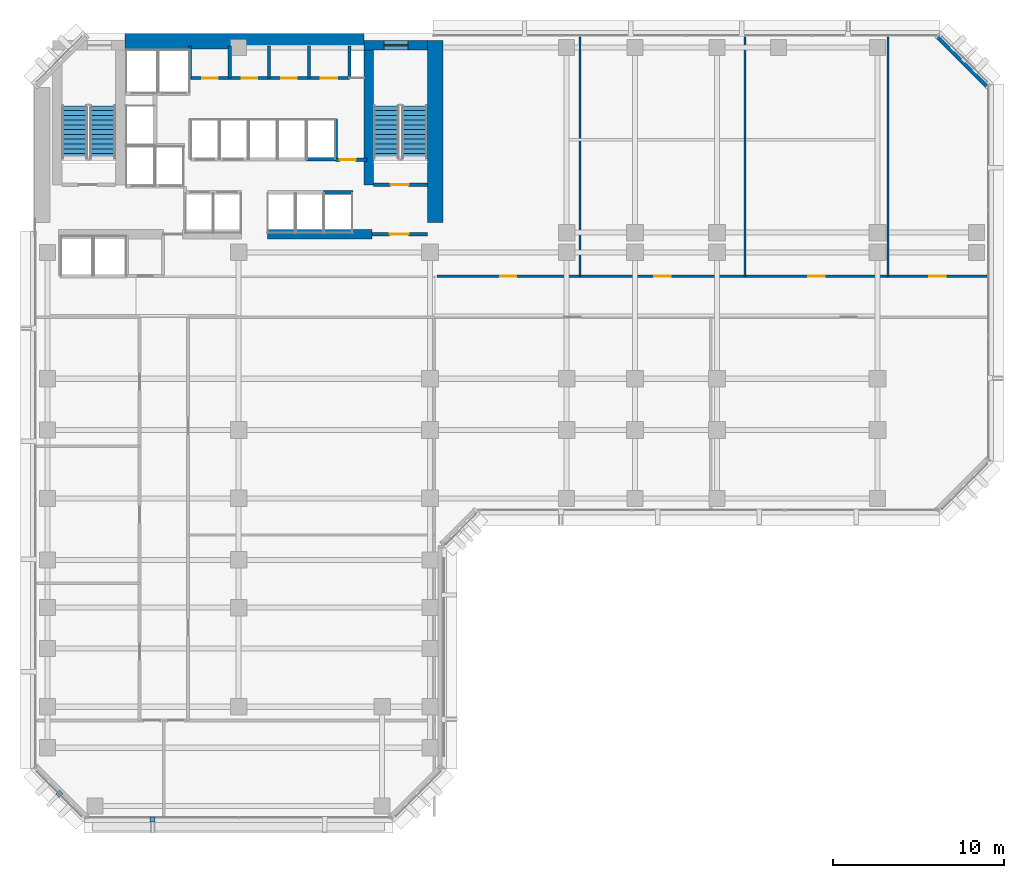
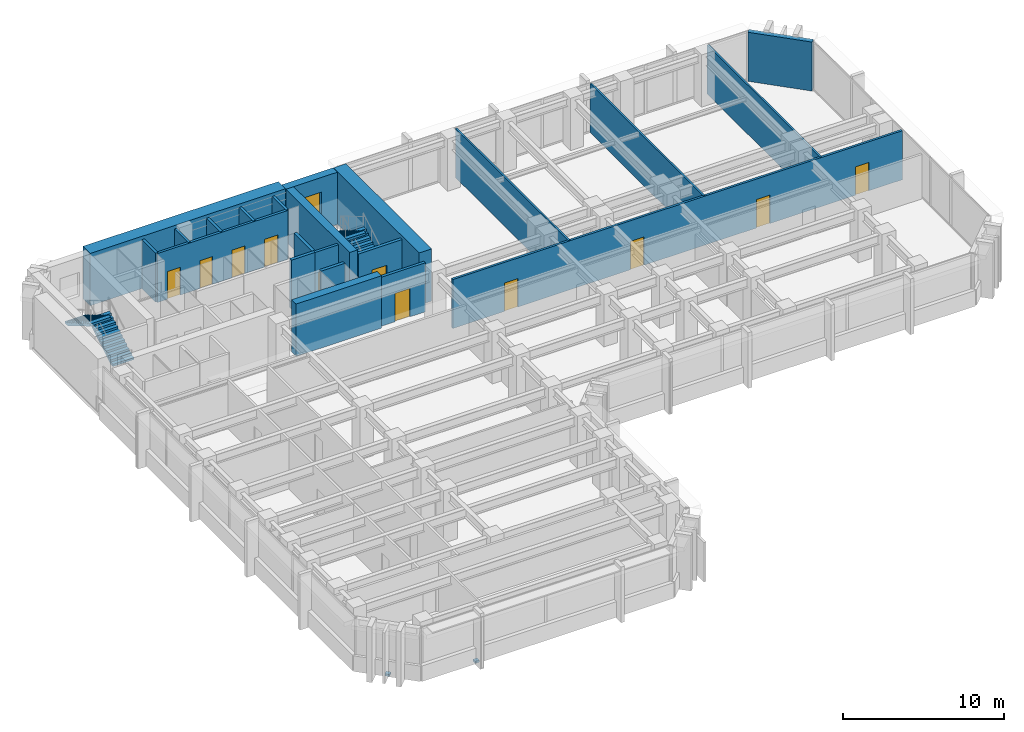
# One storey, part 8 of 14: 22 walls, 11 doors, 4 stair flights, 2 discrete accessories, 1 window, 12 openings, 2 elements without a shape of their own.
"""IFC4 building model written with IfcOpenShell, lengths in metres."""

import ifcopenshell
import ifcopenshell.guid

model = None  # the IFC model being written
_history = None  # IfcOwnerHistory: only IFC2X3 demands one
_inside = {}  # id of a spatial element -> (the spatial element, [elements in it])
_under = {}  # id of a project, library or spatial element -> (it, [spatial elements below it])
_declared = {}  # id of a project -> (the project, [libraries it declares])
_typed = {}  # id of a type object -> (the type object, [elements of that type])
_made_of = {}  # id of a material, layer set ... -> (it, [elements and type objects made of it])


def new_model(schema):
    """Start an empty IFC model of exactly this schema.

    Asked for "IFC4X3", IfcOpenShell would pick the latest addendum, in which some entities
    have other attributes; the version numbers below select the first issue.
    IFC2X3 requires an IfcOwnerHistory on every rooted entity: one is made here for all.
    """
    global model, _history
    if schema == "IFC4X3":
        model = ifcopenshell.file(schema_version=(4, 3, 0, 0))
    else:
        model = ifcopenshell.file(schema=schema)
    _inside.clear()
    _under.clear()
    _declared.clear()
    _typed.clear()
    _made_of.clear()
    _history = None
    if model.schema == "IFC2X3":
        org = make("IfcOrganization", Name="unknown")
        user = make(
            "IfcPersonAndOrganization",
            ThePerson=make("IfcPerson", FamilyName="unknown"),
            TheOrganization=org,
        )
        app = make(
            "IfcApplication",
            ApplicationDeveloper=org,
            Version="unknown",
            ApplicationFullName="unknown",
            ApplicationIdentifier="unknown",
        )
        _history = make(
            "IfcOwnerHistory",
            OwningUser=user,
            OwningApplication=app,
            ChangeAction="ADDED",
            CreationDate=0,
        )
    return model


def make(cls, **values):
    """One entity of the class cls with the attributes given. An attribute that is None is left unset."""
    return model.create_entity(
        cls, **{name: value for name, value in values.items() if value is not None}
    )


def rooted(cls, **values):
    """An entity with a GlobalId (a new one), such as an element, a storey or a relation."""
    return make(cls, GlobalId=ifcopenshell.guid.new(), OwnerHistory=_history, **values)


def si_unit(unit_type, name, prefix=None):
    """IfcSIUnit, for example si_unit("LENGTHUNIT", "METRE", prefix="MILLI")."""
    return make("IfcSIUnit", UnitType=unit_type, Prefix=prefix, Name=name)


def assignment(units):
    """IfcUnitAssignment: the units of a project."""
    return None if units is None else make("IfcUnitAssignment", Units=units)


def point(xyz):
    """IfcCartesianPoint."""
    return None if xyz is None else make("IfcCartesianPoint", Coordinates=xyz)


def direction(xyz):
    """IfcDirection."""
    return None if xyz is None else make("IfcDirection", DirectionRatios=xyz)


def frame(location, z_axis=None, x_axis=None):
    """IfcAxis2Placement3D, a coordinate frame: its origin and axes. An axis left out is left unset."""
    return make(
        "IfcAxis2Placement3D",
        Location=point(location),
        Axis=direction(z_axis),
        RefDirection=direction(x_axis),
    )


def frame_2d(location, x_axis=None):
    """IfcAxis2Placement2D, a coordinate frame in the plane: its origin and x axis."""
    return make(
        "IfcAxis2Placement2D", Location=point(location), RefDirection=direction(x_axis)
    )


def origin():
    """The frame at (0, 0, 0) with its axes left unset."""
    return frame((0.0, 0.0, 0.0))


def origin_2d():
    """The frame at (0, 0) in the plane with its x axis left unset."""
    return frame_2d((0.0, 0.0))


def place(relative_to, where):
    """IfcLocalPlacement: puts the frame where relative to a parent placement (None: the world)."""
    return make(
        "IfcLocalPlacement", PlacementRelTo=relative_to, RelativePlacement=where
    )


def context(
    kind, dimensions, precision=None, world=None, true_north=None, identifier=None
):
    """IfcGeometricRepresentationContext, for example the 3D "Model" context."""
    return make(
        "IfcGeometricRepresentationContext",
        ContextIdentifier=identifier,
        ContextType=kind,
        CoordinateSpaceDimension=dimensions,
        Precision=precision,
        WorldCoordinateSystem=world,
        TrueNorth=true_north,
    )


def subcontext(parent, identifier, kind, view, scale=None):
    """IfcGeometricRepresentationSubContext, for example "Body" below "Model"."""
    return make(
        "IfcGeometricRepresentationSubContext",
        ContextIdentifier=identifier,
        ContextType=kind,
        ParentContext=parent,
        TargetScale=scale,
        TargetView=view,
    )


def project(units=None, contexts=None):
    """IfcProject with its units and contexts."""
    return rooted(
        "IfcProject",
        Name="project",
        RepresentationContexts=contexts,
        UnitsInContext=assignment(units),
    )


def spatial(cls, under=None, at=None, **own):
    """A site, building, storey or space (cls), placed at a placement, below another one or the project."""
    s = rooted(cls, ObjectPlacement=at, **own)
    if under is not None:
        _under.setdefault(under.id(), (under, []))[1].append(s)
    return s


def polyline(points):
    """IfcPolyline through the points."""
    return make("IfcPolyline", Points=[point(p) for p in points])


def profile(cls, at=None, kind="AREA", **sizes):
    """A parametric profile (cls). Its sizes go by their IFC names, for example OverallWidth=200.0."""
    return make(cls, ProfileType=kind, Position=at, **sizes)


def rectangle(**sizes):
    """IfcRectangleProfileDef."""
    return profile("IfcRectangleProfileDef", **sizes)


def outline(outer, holes=None, kind="AREA"):
    """IfcArbitraryClosedProfileDef: a profile drawn as a closed curve; with holes, ...WithVoids."""
    if holes is None:
        return make("IfcArbitraryClosedProfileDef", ProfileType=kind, OuterCurve=outer)
    return make(
        "IfcArbitraryProfileDefWithVoids",
        ProfileType=kind,
        OuterCurve=outer,
        InnerCurves=holes,
    )


def extrude(swept, where, along, depth):
    """IfcExtrudedAreaSolid: the profile swept, set in the frame where, extruded along a direction by depth."""
    return make(
        "IfcExtrudedAreaSolid",
        SweptArea=swept,
        Position=where,
        ExtrudedDirection=direction(along),
        Depth=depth,
    )


def shape(context_of_items, identifier, shape_type, items):
    """IfcShapeRepresentation: the items that make up one representation, for example the "Body"."""
    return make(
        "IfcShapeRepresentation",
        ContextOfItems=context_of_items,
        RepresentationIdentifier=identifier,
        RepresentationType=shape_type,
        Items=items,
    )


def material(Name=None, Category=None):
    """IfcMaterial."""
    return make("IfcMaterial", Name=Name, Category=Category)


def layer(
    of_material, thickness, ventilated=None, Name=None, Category=None, Priority=None
):
    """IfcMaterialLayer: one layer of a wall or slab, of a material (None: an air gap)."""
    return make(
        "IfcMaterialLayer",
        Material=of_material,
        LayerThickness=thickness,
        IsVentilated=ventilated,
        Name=Name,
        Category=Category,
        Priority=Priority,
    )


def layer_set(layers, Name=None):
    """IfcMaterialLayerSet."""
    return make("IfcMaterialLayerSet", MaterialLayers=layers, LayerSetName=Name)


def made_of(thing, what):
    """Note that an element or type object is made of a material, layer set ...; save() writes the relation."""
    if what is not None:
        _made_of.setdefault(what.id(), (what, []))[1].append(thing)
    return thing


def type_object(cls, material=None, **own):
    """A type object (cls), such as IfcWallType, which elements share."""
    return made_of(rooted(cls, **own), material)


def element(
    cls,
    number,
    at=None,
    inside=None,
    cuts=None,
    type_object=None,
    material=None,
    context=None,
    identifier="Body",
    shape_type=None,
    held_by="IfcProductDefinitionShape",
    body=None,
    shapes=None,
    **own,
):
    """One element of the class cls, such as IfcWall. Its Tag is "e" and its number.

    at: its placement. inside: the storey or other place that contains it. cuts: it is an
    opening in that element (IfcRelVoidsElement). A single representation is given by context,
    identifier, shape_type and body (its items); several are given by shapes. held_by: the class
    of the entity that holds the representations. save() writes the other relations.
    """
    e = rooted(cls, Tag="e%d" % number, ObjectPlacement=at, **own)
    if body is not None:
        shapes = [shape(context, identifier, shape_type, body)]
    if shapes is not None:
        e.Representation = make(held_by, Representations=shapes)
    if inside is not None:
        _inside.setdefault(inside.id(), (inside, []))[1].append(e)
    if cuts is not None:
        rooted(
            "IfcRelVoidsElement", RelatingBuildingElement=cuts, RelatedOpeningElement=e
        )
    if type_object is not None:
        _typed.setdefault(type_object.id(), (type_object, []))[1].append(e)
    return made_of(e, material)


def fill(opening, filler):
    """IfcRelFillsElement: the door or window that sits in an opening."""
    return rooted(
        "IfcRelFillsElement",
        RelatingOpeningElement=opening,
        RelatedBuildingElement=filler,
    )


def aggregate(whole, parts):
    """IfcRelAggregates: a whole, such as a stair, and the parts it consists of."""
    return rooted("IfcRelAggregates", RelatingObject=whole, RelatedObjects=parts)


def save(model, path):
    """Write the relations noted so far, then the file.

    IfcRelAggregates (storeys below a building ...), IfcRelContainedInSpatialStructure (elements
    in a storey), IfcRelDefinesByType, IfcRelAssociatesMaterial and IfcRelDeclares: one each for
    every whole, place, type object, material and project.
    """
    for whole, parts in _under.values():
        aggregate(whole, parts)
    for where, things in _inside.values():
        rooted(
            "IfcRelContainedInSpatialStructure",
            RelatedElements=things,
            RelatingStructure=where,
        )
    for kind, things in _typed.values():
        rooted("IfcRelDefinesByType", RelatedObjects=things, RelatingType=kind)
    for what, things in _made_of.values():
        rooted("IfcRelAssociatesMaterial", RelatedObjects=things, RelatingMaterial=what)
    for by, libraries in _declared.values():
        rooted("IfcRelDeclares", RelatingContext=by, RelatedDefinitions=libraries)
    model.write(path)


model = new_model("IFC4")

# Units and contexts
model_context = context("Model", 3, precision=1e-05, world=origin(), true_north=direction((0.0, 1.0)))
body_context = subcontext(model_context, "Body", "Model", "MODEL_VIEW")
ifc_project = project(units=[si_unit("LENGTHUNIT", "METRE"), si_unit("AREAUNIT", "SQUARE_METRE"), si_unit("VOLUMEUNIT", "CUBIC_METRE"), si_unit("PLANEANGLEUNIT", "RADIAN"), si_unit("MASSUNIT", "GRAM", prefix="KILO")], contexts=[model_context])

# Site, building, storey
site_placement = place(None, origin())
site = spatial("IfcSite", under=ifc_project, at=site_placement, CompositionType="ELEMENT")
building_placement = place(site_placement, origin())
building = spatial("IfcBuilding", under=site, at=building_placement, Name="Kefirva Bronze Tower", CompositionType="ELEMENT")
storey_placement = place(building_placement, frame((0.0, 0.0, 42.239990234375)))
storey = spatial("IfcBuildingStorey", under=building, at=storey_placement, Name="L09", CompositionType="ELEMENT", Elevation=42.239990234375)

# Walls
ifc_material_1 = material(Name="Gypsum acoustic partition")
ifc_layer_1 = layer(ifc_material_1, 0.1298828125, Name="Gypsum acoustic partition")
ifc_layer_set_1 = layer_set([ifc_layer_1], Name="Gypsum acoustic partition")
wall_type_1 = type_object("IfcWallType", Name="Acoustic Office Partition 130mm", PredefinedType="PARTITIONING", material=ifc_layer_set_1)
for number, where, z_axis, x_axis, name in (
    (1, (31.974609375, 31.800048828125, 0.0), (0.0, 0.0, 1.0), (0.0, 1.0, 0.0), "L09 Partition W-L09-END1"),
    (2, (41.6376953125, 31.800048828125, 0.0), (0.0, 0.0, 1.0), (0.0, 1.0, 0.0), "L09 Partition W-L09-END2"),
    (3, (50.01220703125, 31.800048828125, 0.0), (0.0, 0.0, 1.0), (0.0, 1.0, 0.0), "L09 Partition W-L09-END3"),
):
    element("IfcWall", number, at=place(storey_placement, frame(where, z_axis=z_axis, x_axis=x_axis)), inside=storey, type_object=wall_type_1, Name=name, PredefinedType="PARTITIONING", context=body_context, shape_type="SweptSolid", body=[
        extrude(rectangle(XDim=14.010009765625, YDim=0.1298828125, at=frame_2d((7.0048828125, 0.0))), origin(), (0.0, 0.0, 1.0), 3.7099609375),
    ])

# Wall, opening, door
ifc_material_2 = material(Name="Gypsum fireboard shaftwall")
ifc_layer_2 = layer(ifc_material_2, 0.219970703125, Name="Gypsum fireboard shaftwall")
ifc_layer_set_2 = layer_set([ifc_layer_2], Name="Gypsum fireboard shaftwall")
wall_type_2 = type_object("IfcWallType", Name="Fire-Rated Shaft Enclosure Wall 220mm", PredefinedType="PARTITIONING", material=ifc_layer_set_2)
wall_1_placement = place(storey_placement, frame((19.89990234375, 37.14990234375, 0.0), z_axis=(0.0, 0.0, 1.0), x_axis=(1.0, 0.0, 0.0)))
wall_1 = element("IfcWall", 4, at=wall_1_placement, inside=storey, type_object=wall_type_2, Name="L09 Partition W-L09-ST2S", PredefinedType="PARTITIONING", context=body_context, shape_type="SweptSolid", body=[
    extrude(rectangle(XDim=3.150146484375, YDim=0.219970703125, at=frame_2d((1.5751953125, 0.0))), origin(), (0.0, 0.0, 1.0), 3.7099609375),
])
opening_1_placement = place(wall_1_placement, frame((2.050048828125, 0.0, 0.0), z_axis=(0.0, 0.0, 1.0), x_axis=(-1.0, 0.0, 0.0)))
opening_1 = element("IfcOpeningElement", 5, at=opening_1_placement, cuts=wall_1, Name="Opening L09-D003", PredefinedType="OPENING", context=body_context, shape_type="SweptSolid", body=[
    extrude(rectangle(XDim=1.050048828125, YDim=2.14990234375, at=frame_2d((0.52490234375, 1.074951171875))), frame((0.0, 0.1201171875, 0.0), z_axis=(0.0, -1.0, 0.0), x_axis=(1.0, 0.0, 0.0)), (0.0, 0.0, 1.0), 0.239990234375),
])
ifc_material_3 = material(Name="Painted galvanized steel", Category="steel")
door_type_1 = type_object("IfcDoorType", Name="Fire Stair Enclosure Door 1050x2150 FD90S", OperationType="NOTDEFINED", PredefinedType="DOOR", material=ifc_material_3)
door_1_placement = place(opening_1_placement, origin())
door_1 = element("IfcDoor", 6, at=door_1_placement, inside=storey, type_object=door_type_1, Name="Door L09-D003", OperationType="SINGLE_SWING_LEFT", OverallHeight=2.14990234375, OverallWidth=1.050048828125, PredefinedType="DOOR", context=body_context, shape_type="SweptSolid", body=[
    extrude(rectangle(XDim=1.050048828125, YDim=2.14990234375, at=frame_2d((0.52490234375, 1.074951171875))), frame((0.0, 0.02490234375, 0.0), z_axis=(0.0, -1.0, 0.0), x_axis=(1.0, 0.0, 0.0)), (0.0, 0.0, 1.0), 0.050048828125),
])
fill(opening_1, door_1)

# Walls
wall_2_placement = place(storey_placement, frame((17.679931640625, 38.64990234375, 0.0), z_axis=(0.0, 0.0, 1.0), x_axis=(0.0, 1.0, 0.0)))
element("IfcWall", 7, at=wall_2_placement, inside=storey, type_object=wall_type_2, Name="L09 Partition W-L09-HP2E", PredefinedType="PARTITIONING", context=body_context, shape_type="SweptSolid", body=[
    extrude(rectangle(XDim=2.35009765625, YDim=0.199951171875, at=frame_2d((1.175048828125, 0.0))), origin(), (0.0, 0.0, 1.0), 3.7099609375),
])
wall_3_placement = place(storey_placement, frame((16.97998046875, 36.699951171875, 0.0), z_axis=(0.0, 0.0, 1.0), x_axis=(1.0, 0.0, 0.0)))
element("IfcWall", 8, at=wall_3_placement, inside=storey, type_object=wall_type_2, Name="L09 Partition W-L09-HPS", PredefinedType="PARTITIONING", context=body_context, shape_type="SweptSolid", body=[
    extrude(rectangle(XDim=1.699951171875, YDim=0.219970703125, at=frame_2d((0.85009765625, 0.0))), origin(), (0.0, 0.0, 1.0), 3.7099609375),
])
wall_4_placement = place(storey_placement, frame((15.97998046875, 38.64990234375, 0.0), z_axis=(0.0, 0.0, 1.0), x_axis=(1.0, 0.0, 0.0)))
element("IfcWall", 9, at=wall_4_placement, inside=storey, type_object=wall_type_2, Name="L09 Partition W-L09-HPN", PredefinedType="PARTITIONING", context=body_context, shape_type="SweptSolid", body=[
    extrude(rectangle(XDim=1.719970703125, YDim=0.219970703125, at=frame_2d((0.85986328125, 0.0))), origin(), (0.0, 0.0, 1.0), 3.7099609375),
])

# Wall, opening, door
ifc_material_4 = material(Name="Gypsum fireboard barrier")
ifc_layer_3 = layer(ifc_material_4, 0.199951171875, Name="Gypsum fireboard barrier")
ifc_layer_set_3 = layer_set([ifc_layer_3], Name="Gypsum fireboard barrier")
wall_type_3 = type_object("IfcWallType", Name="Firefighting Lobby Barrier Wall 200mm", PredefinedType="PARTITIONING", material=ifc_layer_set_3)
wall_5_placement = place(storey_placement, frame((19.800048828125, 34.25, 0.0), z_axis=(0.0, 0.0, 1.0), x_axis=(1.0, 0.0, 0.0)))
wall_5 = element("IfcWall", 10, at=wall_5_placement, inside=storey, type_object=wall_type_3, Name="L09 Partition W-L09-ST2F", PredefinedType="PARTITIONING", context=body_context, shape_type="SweptSolid", body=[
    extrude(rectangle(XDim=3.25, YDim=0.199951171875, at=frame_2d((1.625, 0.0))), origin(), (0.0, 0.0, 1.0), 3.7099609375),
])
opening_2_placement = place(wall_5_placement, frame((2.150146484375, 0.0, 0.0), z_axis=(0.0, 0.0, 1.0), x_axis=(-1.0, 0.0, 0.0)))
opening_2 = element("IfcOpeningElement", 11, at=opening_2_placement, cuts=wall_5, Name="Opening L09-D004", PredefinedType="OPENING", context=body_context, shape_type="SweptSolid", body=[
    extrude(rectangle(XDim=1.10009765625, YDim=2.14990234375, at=frame_2d((0.550048828125, 1.074951171875))), frame((0.0, 0.10986328125, 0.0), z_axis=(0.0, -1.0, 0.0), x_axis=(1.0, 0.0, 0.0)), (0.0, 0.0, 1.0), 0.219970703125),
])
door_type_2 = type_object("IfcDoorType", Name="Firefighting Lobby Smoke Door 1100x2150 FD60S", OperationType="NOTDEFINED", PredefinedType="DOOR", material=ifc_material_3)
door_2_placement = place(opening_2_placement, origin())
door_2 = element("IfcDoor", 12, at=door_2_placement, inside=storey, type_object=door_type_2, Name="Door L09-D004", OperationType="SINGLE_SWING_RIGHT", OverallHeight=2.14990234375, OverallWidth=1.10009765625, PredefinedType="DOOR", context=body_context, shape_type="SweptSolid", body=[
    extrude(rectangle(XDim=1.10009765625, YDim=2.14990234375, at=frame_2d((0.550048828125, 1.074951171875))), frame((0.0, 0.02490234375, 0.0), z_axis=(0.0, -1.0, 0.0), x_axis=(1.0, 0.0, 0.0)), (0.0, 0.0, 1.0), 0.050048828125),
])
fill(opening_2, door_2)

wall_6_placement = place(storey_placement, frame((17.679931640625, 38.6201171875, 0.0), z_axis=(0.0, 0.0, 1.0), x_axis=(1.0, 0.0, 0.0)))
wall_6 = element("IfcWall", 13, at=wall_6_placement, inside=storey, type_object=wall_type_3, Name="L09 Partition W-L09-CPASS", PredefinedType="PARTITIONING", context=body_context, shape_type="SweptSolid", body=[
    extrude(rectangle(XDim=1.840087890625, YDim=0.179931640625, at=frame_2d((0.919921875, 0.0))), origin(), (0.0, 0.0, 1.0), 3.7099609375),
])
opening_3_placement = place(wall_6_placement, frame((0.239990234375, 0.0, 0.0)))
opening_3 = element("IfcOpeningElement", 14, at=opening_3_placement, cuts=wall_6, Name="Opening L09-D-CPAS", PredefinedType="OPENING", context=body_context, shape_type="SweptSolid", body=[
    extrude(rectangle(XDim=0.919921875, YDim=2.10009765625, at=frame_2d((0.4599609375, 1.050048828125))), frame((0.0, 0.10009765625, 0.0), z_axis=(0.0, -1.0, 0.0), x_axis=(1.0, 0.0, 0.0)), (0.0, 0.0, 1.0), 0.199951171875),
])
ifc_material_5 = material(Name="Moisture-resistant timber", Category="wood")
door_type_3 = type_object("IfcDoorType", Name="Accessible Sanitary & WC Door 920x2100", OperationType="NOTDEFINED", PredefinedType="DOOR", material=ifc_material_5)
door_3_placement = place(opening_3_placement, origin())
door_3 = element("IfcDoor", 15, at=door_3_placement, inside=storey, type_object=door_type_3, Name="Door L09-D-CPAS", OperationType="SINGLE_SWING_LEFT", OverallHeight=2.10009765625, OverallWidth=0.919921875, PredefinedType="DOOR", context=body_context, shape_type="SweptSolid", body=[
    extrude(rectangle(XDim=0.919921875, YDim=2.10009765625, at=frame_2d((0.4599609375, 1.050048828125))), frame((0.0, 0.02490234375, 0.0), z_axis=(0.0, -1.0, 0.0), x_axis=(1.0, 0.0, 0.0)), (0.0, 0.0, 1.0), 0.050048828125),
])
fill(opening_3, door_3)

# Wall
ifc_material_6 = material(Name="Precast concrete C40/50", Category="concrete")
ifc_layer_4 = layer(ifc_material_6, 0.320068359375, Name="Precast concrete C40/50")
ifc_layer_set_4 = layer_set([ifc_layer_4], Name="Precast concrete C40/50")
wall_type_4 = type_object("IfcWallType", Name="Precast Insulated Exterior Wall 320mm", PredefinedType="SOLIDWALL", material=ifc_layer_set_4)
wall_7_placement = place(storey_placement, frame((55.847900390625, 42.92578125, 0.0), z_axis=(0.0, 0.0, 1.0), x_axis=(-0.707106781187, 0.707106781187, 0.0)))
element("IfcWall", 16, at=wall_7_placement, inside=storey, type_object=wall_type_4, Name="L09 Exterior Facade Wall 5", PredefinedType="SOLIDWALL", context=body_context, shape_type="SweptSolid", body=[
    extrude(rectangle(XDim=4.132568359375, YDim=0.320068359375, at=frame_2d((2.06640625, 0.0))), origin(), (0.0, 0.0, 1.0), 3.7099609375),
])

# Wall, openings, doors
ifc_layer_5 = layer(ifc_material_1, 0.159912109375, Name="Gypsum acoustic partition")
ifc_layer_set_5 = layer_set([ifc_layer_5], Name="Gypsum acoustic partition")
wall_type_5 = type_object("IfcWallType", Name="Protected Corridor Partition 160mm", PredefinedType="PARTITIONING", material=ifc_layer_set_5)
wall_8_placement = place(storey_placement, frame((23.60009765625, 31.800048828125, 0.0), z_axis=(0.0, 0.0, 1.0), x_axis=(1.0, 0.0, 0.0)))
wall_8 = element("IfcWall", 17, at=wall_8_placement, inside=storey, type_object=wall_type_5, Name="L09 Partition W-L09-EWN", PredefinedType="PARTITIONING", context=body_context, shape_type="SweptSolid", body=[
    extrude(rectangle(XDim=32.2099609375, YDim=0.159912109375, at=frame_2d((16.10498046875, 0.0))), origin(), (0.0, 0.0, 1.0), 3.7099609375),
])
opening_4_placement = place(wall_8_placement, frame((3.71240234375, 0.0, 0.0)))
opening_4 = element("IfcOpeningElement", 18, at=opening_4_placement, cuts=wall_8, Name="Opening L09-D-EN1", PredefinedType="OPENING", context=body_context, shape_type="SweptSolid", body=[
    extrude(rectangle(XDim=0.949951171875, YDim=2.14990234375, at=frame_2d((0.47509765625, 1.074951171875))), frame((0.0, 0.08984375, 0.0), z_axis=(0.0, -1.0, 0.0), x_axis=(1.0, 0.0, 0.0)), (0.0, 0.0, 1.0), 0.179931640625),
])
opening_5_placement = place(wall_8_placement, frame((12.731201171875, 0.0, 0.0)))
opening_5 = element("IfcOpeningElement", 19, at=opening_5_placement, cuts=wall_8, Name="Opening L09-D-EN2", PredefinedType="OPENING", context=body_context, shape_type="SweptSolid", body=[
    extrude(rectangle(XDim=0.949951171875, YDim=2.14990234375, at=frame_2d((0.47509765625, 1.074951171875))), frame((0.0, 0.08984375, 0.0), z_axis=(0.0, -1.0, 0.0), x_axis=(1.0, 0.0, 0.0)), (0.0, 0.0, 1.0), 0.179931640625),
])
opening_6_placement = place(wall_8_placement, frame((21.75, 0.0, 0.0)))
opening_6 = element("IfcOpeningElement", 20, at=opening_6_placement, cuts=wall_8, Name="Opening L09-D-EN3", PredefinedType="OPENING", context=body_context, shape_type="SweptSolid", body=[
    extrude(rectangle(XDim=0.949951171875, YDim=2.14990234375, at=frame_2d((0.47509765625, 1.074951171875))), frame((0.0, 0.08984375, 0.0), z_axis=(0.0, -1.0, 0.0), x_axis=(1.0, 0.0, 0.0)), (0.0, 0.0, 1.0), 0.179931640625),
])
opening_7_placement = place(wall_8_placement, frame((28.836181640625, 0.0, 0.0)))
opening_7 = element("IfcOpeningElement", 21, at=opening_7_placement, cuts=wall_8, Name="Opening L09-D-EN4", PredefinedType="OPENING", context=body_context, shape_type="SweptSolid", body=[
    extrude(rectangle(XDim=0.949951171875, YDim=2.14990234375, at=frame_2d((0.47509765625, 1.074951171875))), frame((0.0, 0.08984375, 0.0), z_axis=(0.0, -1.0, 0.0), x_axis=(1.0, 0.0, 0.0)), (0.0, 0.0, 1.0), 0.179931640625),
])
ifc_material_7 = material(Name="Acoustic hardwood oak", Category="wood")
door_type_4 = type_object("IfcDoorType", Name="Office & Meeting Room Door 950x2150", OperationType="NOTDEFINED", PredefinedType="DOOR", material=ifc_material_7)
door_4_placement = place(opening_4_placement, origin())
door_4 = element("IfcDoor", 22, at=door_4_placement, inside=storey, type_object=door_type_4, Name="Door L09-D-EN1", OperationType="SINGLE_SWING_RIGHT", OverallHeight=2.14990234375, OverallWidth=0.949951171875, PredefinedType="DOOR", context=body_context, shape_type="SweptSolid", body=[
    extrude(rectangle(XDim=0.949951171875, YDim=2.14990234375, at=frame_2d((0.47509765625, 1.074951171875))), frame((0.0, 0.02490234375, 0.0), z_axis=(0.0, -1.0, 0.0), x_axis=(1.0, 0.0, 0.0)), (0.0, 0.0, 1.0), 0.050048828125),
])
fill(opening_4, door_4)
door_5_placement = place(opening_5_placement, origin())
door_5 = element("IfcDoor", 23, at=door_5_placement, inside=storey, type_object=door_type_4, Name="Door L09-D-EN2", OperationType="SINGLE_SWING_LEFT", OverallHeight=2.14990234375, OverallWidth=0.949951171875, PredefinedType="DOOR", context=body_context, shape_type="SweptSolid", body=[
    extrude(rectangle(XDim=0.949951171875, YDim=2.14990234375, at=frame_2d((0.47509765625, 1.074951171875))), frame((0.0, 0.02490234375, 0.0), z_axis=(0.0, -1.0, 0.0), x_axis=(1.0, 0.0, 0.0)), (0.0, 0.0, 1.0), 0.050048828125),
])
fill(opening_5, door_5)
door_6_placement = place(opening_6_placement, origin())
door_6 = element("IfcDoor", 24, at=door_6_placement, inside=storey, type_object=door_type_4, Name="Door L09-D-EN3", OperationType="SINGLE_SWING_RIGHT", OverallHeight=2.14990234375, OverallWidth=0.949951171875, PredefinedType="DOOR", context=body_context, shape_type="SweptSolid", body=[
    extrude(rectangle(XDim=0.949951171875, YDim=2.14990234375, at=frame_2d((0.47509765625, 1.074951171875))), frame((0.0, 0.02490234375, 0.0), z_axis=(0.0, -1.0, 0.0), x_axis=(1.0, 0.0, 0.0)), (0.0, 0.0, 1.0), 0.050048828125),
])
fill(opening_6, door_6)
door_7_placement = place(opening_7_placement, origin())
door_7 = element("IfcDoor", 25, at=door_7_placement, inside=storey, type_object=door_type_4, Name="Door L09-D-EN4", OperationType="SINGLE_SWING_LEFT", OverallHeight=2.14990234375, OverallWidth=0.949951171875, PredefinedType="DOOR", context=body_context, shape_type="SweptSolid", body=[
    extrude(rectangle(XDim=0.949951171875, YDim=2.14990234375, at=frame_2d((0.47509765625, 1.074951171875))), frame((0.0, 0.02490234375, 0.0), z_axis=(0.0, -1.0, 0.0), x_axis=(1.0, 0.0, 0.0)), (0.0, 0.0, 1.0), 0.050048828125),
])
fill(opening_7, door_7)

# Wall, opening, window
ifc_material_8 = material(Name="Concrete C50/60", Category="concrete")
ifc_layer_6 = layer(ifc_material_8, 0.550048828125, Name="Concrete C50/60")
ifc_layer_set_6 = layer_set([ifc_layer_6], Name="Concrete C50/60")
wall_type_6 = type_object("IfcWallType", Name="RC Rear Core Exterior Wall 550mm", PredefinedType="SHEAR", material=ifc_layer_set_6)
wall_9_placement = place(storey_placement, frame((19.35009765625, 45.320068359375, 0.0), z_axis=(0.0, 0.0, 1.0), x_axis=(1.0, 0.0, 0.0)))
wall_9 = element("IfcWall", 26, at=wall_9_placement, inside=storey, type_object=wall_type_6, Name="L09 Stair 2 North Shear Wall", PredefinedType="SHEAR", context=body_context, shape_type="SweptSolid", body=[
    extrude(rectangle(XDim=3.68994140625, YDim=0.550048828125, at=frame_2d((1.844970703125, 0.0))), origin(), (0.0, 0.0, 1.0), 3.9599609375),
])
opening_8_placement = place(wall_9_placement, frame((1.14990234375, 0.0, 1.050048828125)))
opening_8 = element("IfcOpeningElement", 27, at=opening_8_placement, cuts=wall_9, Name="Opening WN-03", PredefinedType="OPENING", context=body_context, shape_type="SweptSolid", body=[
    extrude(rectangle(XDim=1.39990234375, YDim=1.800048828125, at=frame_2d((0.699951171875, 0.89990234375))), frame((0.0, 0.28515625, 0.0), z_axis=(0.0, -1.0, 0.0), x_axis=(1.0, 0.0, 0.0)), (0.0, 0.0, 1.0), 0.570068359375),
])
ifc_material_9 = material(Name="Laminated low-E double glazing", Category="glass")
window_type = type_object("IfcWindowType", Name="Rear-Core Stair Daylight Window 1400x1800", PartitioningType="SINGLE_PANEL", PredefinedType="WINDOW", material=ifc_material_9)
window_placement = place(opening_8_placement, origin())
window = element("IfcWindow", 28, at=window_placement, inside=storey, type_object=window_type, Name="L09 Stair 2 Daylight Window", OverallHeight=1.800048828125, OverallWidth=1.39990234375, PartitioningType="SINGLE_PANEL", PredefinedType="WINDOW", context=body_context, shape_type="SweptSolid", body=[
    extrude(rectangle(XDim=1.39990234375, YDim=1.800048828125, at=frame_2d((0.699951171875, 0.89990234375))), frame((0.0, 0.030029296875, 0.0), z_axis=(0.0, -1.0, 0.0), x_axis=(1.0, 0.0, 0.0)), (0.0, 0.0, 1.0), 0.06005859375),
])
fill(opening_8, window)

# Walls
ifc_material_10 = material(Name="Concrete C60/75", Category="concrete")
ifc_layer_7 = layer(ifc_material_10, 0.89990234375, Name="Concrete C60/75")
ifc_layer_set_7 = layer_set([ifc_layer_7], Name="Concrete C60/75")
wall_type_7 = type_object("IfcWallType", Name="RC Rear Core Exterior Wall 900mm", PredefinedType="SHEAR", material=ifc_layer_set_7)
wall_10_placement = place(storey_placement, frame((5.360107421875, 45.550048828125, 0.0), z_axis=(0.0, 0.0, 1.0), x_axis=(1.0, 0.0, 0.0)))
element("IfcWall", 29, at=wall_10_placement, inside=storey, type_object=wall_type_7, Name="L09 Rear Core North Shear Wall", PredefinedType="SHEAR", context=body_context, shape_type="SweptSolid", body=[
    extrude(rectangle(XDim=13.97998046875, YDim=0.89990234375, at=frame_2d((6.989990234375, 0.0))), origin(), (0.0, 0.0, 1.0), 3.9599609375),
])
ifc_layer_8 = layer(ifc_material_8, 0.550048828125, Name="Concrete C50/60")
ifc_layer_set_8 = layer_set([ifc_layer_8], Name="Concrete C50/60")
wall_type_8 = type_object("IfcWallType", Name="RC Rear Core Interior Wall 550mm", PredefinedType="SHEAR", material=ifc_layer_set_8)
wall_11_placement = place(storey_placement, frame((19.6201171875, 37.14990234375, 0.0), z_axis=(0.0, 0.0, 1.0), x_axis=(0.0, 1.0, 0.0)))
element("IfcWall", 30, at=wall_11_placement, inside=storey, type_object=wall_type_8, Name="L09 Stair 2 West Shear Wall", PredefinedType="SHEAR", context=body_context, shape_type="SweptSolid", body=[
    extrude(rectangle(XDim=7.89013671875, YDim=0.550048828125, at=frame_2d((3.945068359375, 0.0))), origin(), (0.0, 0.0, 1.0), 3.9599609375),
])
ifc_layer_9 = layer(ifc_material_10, 0.89990234375, Name="Concrete C60/75")
ifc_layer_set_9 = layer_set([ifc_layer_9], Name="Concrete C60/75")
wall_type_9 = type_object("IfcWallType", Name="RC Rear Core Interior Wall 900mm", PredefinedType="SHEAR", material=ifc_layer_set_9)
wall_12_placement = place(storey_placement, frame((23.5, 34.949951171875, 0.0), z_axis=(0.0, 0.0, 1.0), x_axis=(0.0, 1.0, 0.0)))
element("IfcWall", 31, at=wall_12_placement, inside=storey, type_object=wall_type_9, Name="L09 Rear Core East Shear Wall", PredefinedType="SHEAR", context=body_context, shape_type="SweptSolid", body=[
    extrude(rectangle(XDim=10.64013671875, YDim=0.89990234375, at=frame_2d((5.320068359375, 0.0))), origin(), (0.0, 0.0, 1.0), 3.9599609375),
])
wall_13_placement = place(storey_placement, frame((13.679931640625, 34.25, 0.0), z_axis=(0.0, 0.0, 1.0), x_axis=(1.0, 0.0, 0.0)))
element("IfcWall", 32, at=wall_13_placement, inside=storey, type_object=wall_type_9, Name="L09 Rear Core South-East Shear Wall", PredefinedType="SHEAR", context=body_context, shape_type="SweptSolid", body=[
    extrude(rectangle(XDim=6.1201171875, YDim=0.550048828125, at=frame_2d((3.06005859375, 0.0))), origin(), (0.0, 0.0, 1.0), 3.9599609375),
])

# Wall, openings, doors
ifc_material_11 = material(Name="Moisture-resistant partition")
ifc_layer_10 = layer(ifc_material_11, 0.179931640625, Name="Moisture-resistant partition")
ifc_layer_set_10 = layer_set([ifc_layer_10], Name="Moisture-resistant partition")
wall_type_10 = type_object("IfcWallType", Name="Sanitary Plumbing Chase Wall 180mm", PredefinedType="PLUMBINGWALL", material=ifc_layer_set_10)
wall_14_placement = place(storey_placement, frame((9.14990234375, 43.39990234375, 0.0), z_axis=(0.0, 0.0, 1.0), x_axis=(1.0, 0.0, 0.0)))
wall_14 = element("IfcWall", 33, at=wall_14_placement, inside=storey, type_object=wall_type_10, Name="L09 Partition W-L09-SVCS", PredefinedType="PLUMBINGWALL", context=body_context, shape_type="SweptSolid", body=[
    extrude(rectangle(XDim=9.330078125, YDim=0.179931640625, at=frame_2d((4.6650390625, 0.0))), origin(), (0.0, 0.0, 1.0), 3.7099609375),
])
opening_9_placement = place(wall_14_placement, frame((0.719970703125, 0.0, 0.0)))
opening_9 = element("IfcOpeningElement", 34, at=opening_9_placement, cuts=wall_14, Name="Opening L09-D-CSVC1", PredefinedType="OPENING", context=body_context, shape_type="SweptSolid", body=[
    extrude(rectangle(XDim=0.919921875, YDim=2.10009765625, at=frame_2d((0.4599609375, 1.050048828125))), frame((0.0, 0.10009765625, 0.0), z_axis=(0.0, -1.0, 0.0), x_axis=(1.0, 0.0, 0.0)), (0.0, 0.0, 1.0), 0.199951171875),
])
opening_10_placement = place(wall_14_placement, frame((3.02001953125, 0.0, 0.0)))
opening_10 = element("IfcOpeningElement", 35, at=opening_10_placement, cuts=wall_14, Name="Opening L09-D-CSVC2", PredefinedType="OPENING", context=body_context, shape_type="SweptSolid", body=[
    extrude(rectangle(XDim=0.919921875, YDim=2.10009765625, at=frame_2d((0.4599609375, 1.050048828125))), frame((0.0, 0.10009765625, 0.0), z_axis=(0.0, -1.0, 0.0), x_axis=(1.0, 0.0, 0.0)), (0.0, 0.0, 1.0), 0.199951171875),
])
opening_11_placement = place(wall_14_placement, frame((5.340087890625, 0.0, 0.0)))
opening_11 = element("IfcOpeningElement", 36, at=opening_11_placement, cuts=wall_14, Name="Opening L09-D-CSVC3", PredefinedType="OPENING", context=body_context, shape_type="SweptSolid", body=[
    extrude(rectangle(XDim=0.919921875, YDim=2.10009765625, at=frame_2d((0.4599609375, 1.050048828125))), frame((0.0, 0.10009765625, 0.0), z_axis=(0.0, -1.0, 0.0), x_axis=(1.0, 0.0, 0.0)), (0.0, 0.0, 1.0), 0.199951171875),
])
opening_12_placement = place(wall_14_placement, frame((7.659912109375, 0.0, 0.0)))
opening_12 = element("IfcOpeningElement", 37, at=opening_12_placement, cuts=wall_14, Name="Opening L09-D-CSVC4", PredefinedType="OPENING", context=body_context, shape_type="SweptSolid", body=[
    extrude(rectangle(XDim=0.949951171875, YDim=2.10009765625, at=frame_2d((0.47509765625, 1.050048828125))), frame((0.0, 0.10009765625, 0.0), z_axis=(0.0, -1.0, 0.0), x_axis=(1.0, 0.0, 0.0)), (0.0, 0.0, 1.0), 0.199951171875),
])
door_8_placement = place(opening_9_placement, origin())
door_8 = element("IfcDoor", 38, at=door_8_placement, inside=storey, type_object=door_type_3, Name="Door L09-D-CSVC1", OperationType="SINGLE_SWING_LEFT", OverallHeight=2.10009765625, OverallWidth=0.919921875, PredefinedType="DOOR", context=body_context, shape_type="SweptSolid", body=[
    extrude(rectangle(XDim=0.919921875, YDim=2.10009765625, at=frame_2d((0.4599609375, 1.050048828125))), frame((0.0, 0.02490234375, 0.0), z_axis=(0.0, -1.0, 0.0), x_axis=(1.0, 0.0, 0.0)), (0.0, 0.0, 1.0), 0.050048828125),
])
fill(opening_9, door_8)
door_9_placement = place(opening_10_placement, origin())
door_9 = element("IfcDoor", 39, at=door_9_placement, inside=storey, type_object=door_type_3, Name="Door L09-D-CSVC2", OperationType="SINGLE_SWING_RIGHT", OverallHeight=2.10009765625, OverallWidth=0.919921875, PredefinedType="DOOR", context=body_context, shape_type="SweptSolid", body=[
    extrude(rectangle(XDim=0.919921875, YDim=2.10009765625, at=frame_2d((0.4599609375, 1.050048828125))), frame((0.0, 0.02490234375, 0.0), z_axis=(0.0, -1.0, 0.0), x_axis=(1.0, 0.0, 0.0)), (0.0, 0.0, 1.0), 0.050048828125),
])
fill(opening_10, door_9)
door_10_placement = place(opening_11_placement, origin())
door_10 = element("IfcDoor", 40, at=door_10_placement, inside=storey, type_object=door_type_3, Name="Door L09-D-CSVC3", OperationType="SINGLE_SWING_LEFT", OverallHeight=2.10009765625, OverallWidth=0.919921875, PredefinedType="DOOR", context=body_context, shape_type="SweptSolid", body=[
    extrude(rectangle(XDim=0.919921875, YDim=2.10009765625, at=frame_2d((0.4599609375, 1.050048828125))), frame((0.0, 0.02490234375, 0.0), z_axis=(0.0, -1.0, 0.0), x_axis=(1.0, 0.0, 0.0)), (0.0, 0.0, 1.0), 0.050048828125),
])
fill(opening_11, door_10)
door_type_5 = type_object("IfcDoorType", Name="Riser & Plant Shaft Fire Door 950x2100 FD60S", OperationType="NOTDEFINED", PredefinedType="DOOR", material=ifc_material_3)
door_11_placement = place(opening_12_placement, origin())
door_11 = element("IfcDoor", 41, at=door_11_placement, inside=storey, type_object=door_type_5, Name="Door L09-D-CSVC4", OperationType="SINGLE_SWING_RIGHT", OverallHeight=2.10009765625, OverallWidth=0.949951171875, PredefinedType="DOOR", context=body_context, shape_type="SweptSolid", body=[
    extrude(rectangle(XDim=0.949951171875, YDim=2.10009765625, at=frame_2d((0.47509765625, 1.050048828125))), frame((0.0, 0.02490234375, 0.0), z_axis=(0.0, -1.0, 0.0), x_axis=(1.0, 0.0, 0.0)), (0.0, 0.0, 1.0), 0.050048828125),
])
fill(opening_12, door_11)

# Walls
for number, where, z_axis, x_axis, name in (
    (42, (9.14990234375, 43.39990234375, 0.0), (0.0, 0.0, 1.0), (0.0, 1.0, 0.0), "L09 Partition W-L09-SVCW"),
    (43, (18.47998046875, 43.39990234375, 0.0), (0.0, 0.0, 1.0), (0.0, 1.0, 0.0), "L09 Partition W-L09-SVCE"),
    (44, (11.47998046875, 43.39990234375, 0.0), (0.0, 0.0, 1.0), (0.0, 1.0, 0.0), "L09 Partition W-L09-CSVD-1"),
    (45, (13.780029296875, 43.39990234375, 0.0), (0.0, 0.0, 1.0), (0.0, 1.0, 0.0), "L09 Partition W-L09-CSVD-2"),
    (46, (16.1201171875, 43.39990234375, 0.0), (0.0, 0.0, 1.0), (0.0, 1.0, 0.0), "L09 Partition W-L09-CSVD-3"),
):
    element("IfcWall", number, at=place(storey_placement, frame(where, z_axis=z_axis, x_axis=x_axis)), inside=storey, type_object=wall_type_10, Name=name, PredefinedType="PLUMBINGWALL", context=body_context, shape_type="SweptSolid", body=[
        extrude(rectangle(XDim=1.880126953125, YDim=0.179931640625, at=frame_2d((0.93994140625, 0.0))), origin(), (0.0, 0.0, 1.0), 3.7099609375),
    ])

# Stair, stair flights
ifc_material_12 = material(Name="Concrete C40/50", Category="concrete")
stair_type = type_object("IfcStairType", Name="RC Dogleg Protected Stair 24R", PredefinedType="HALF_TURN_STAIR", material=ifc_material_12)
stair_1_placement = place(storey_placement, origin())
stair_1 = element("IfcStair", 47, at=stair_1_placement, inside=storey, type_object=stair_type, Name="L09 Protected Exit Stair 1", PredefinedType="HALF_TURN_STAIR")
stair_flight_type = type_object("IfcStairFlightType", Name="RC Straight Stair Flight 24R", PredefinedType="STRAIGHT", material=ifc_material_12)
stair_flight_1_placement = place(storey_placement, frame((4.050048828125, 38.699951171875, 0.0), z_axis=(0.0, 0.0, 1.0), x_axis=(0.0, 1.0, 0.0)))
stair_flight_1 = element("IfcStairFlight", 48, at=stair_flight_1_placement, type_object=stair_flight_type, Name="ST-1 flight 1", NumberOfRisers=12, NumberOfTreads=11, PredefinedType="STRAIGHT", RiserHeight=0.165, TreadLength=0.28, context=body_context, shape_type="SweptSolid", body=[
    extrude(outline(polyline([(0.0, 0.0), (0.0, 0.1650390625), (0.280029296875, 0.1650390625), (0.280029296875, 0.330078125), (0.56005859375, 0.330078125), (0.56005859375, 0.4951171875), (0.840087890625, 0.4951171875), (0.840087890625, 0.659912109375), (1.1201171875, 0.659912109375), (1.1201171875, 0.824951171875), (1.39990234375, 0.824951171875), (1.39990234375, 0.989990234375), (1.679931640625, 0.989990234375), (1.679931640625, 1.155029296875), (1.9599609375, 1.155029296875), (1.9599609375, 1.320068359375), (2.239990234375, 1.320068359375), (2.239990234375, 1.485107421875), (2.52001953125, 1.485107421875), (2.52001953125, 1.64990234375), (2.800048828125, 1.64990234375), (2.800048828125, 1.81494140625), (3.080078125, 1.81494140625), (3.080078125, 1.97998046875), (3.080078125, 1.64111328125), (0.295166015625, 0.0), (0.0, 0.0)])), frame((0.0, 0.75, 0.0), z_axis=(0.0, -1.0, 0.0), x_axis=(1.0, 0.0, 0.0)), (0.0, 0.0, 1.0), 1.5),
])
stair_flight_2_placement = place(storey_placement, frame((2.39990234375, 41.780029296875, 1.97998046875), z_axis=(0.0, 0.0, 1.0), x_axis=(0.0, -1.0, 0.0)))
stair_flight_2 = element("IfcStairFlight", 49, at=stair_flight_2_placement, type_object=stair_flight_type, Name="ST-1 flight 2", NumberOfRisers=12, NumberOfTreads=11, PredefinedType="STRAIGHT", RiserHeight=0.165, TreadLength=0.28, context=body_context, shape_type="SweptSolid", body=[
    extrude(outline(polyline([(0.0, 0.0), (0.0, 0.1650390625), (0.280029296875, 0.1650390625), (0.280029296875, 0.330078125), (0.56005859375, 0.330078125), (0.56005859375, 0.4951171875), (0.840087890625, 0.4951171875), (0.840087890625, 0.659912109375), (1.1201171875, 0.659912109375), (1.1201171875, 0.824951171875), (1.39990234375, 0.824951171875), (1.39990234375, 0.989990234375), (1.679931640625, 0.989990234375), (1.679931640625, 1.155029296875), (1.9599609375, 1.155029296875), (1.9599609375, 1.320068359375), (2.239990234375, 1.320068359375), (2.239990234375, 1.485107421875), (2.52001953125, 1.485107421875), (2.52001953125, 1.64990234375), (2.800048828125, 1.64990234375), (2.800048828125, 1.81494140625), (3.080078125, 1.81494140625), (3.080078125, 1.97998046875), (3.080078125, 1.64111328125), (0.295166015625, 0.0), (0.0, 0.0)])), frame((0.0, 0.75, 0.0), z_axis=(0.0, -1.0, 0.0), x_axis=(1.0, 0.0, 0.0)), (0.0, 0.0, 1.0), 1.5),
])
aggregate(stair_1, [stair_flight_1, stair_flight_2])

stair_2_placement = place(storey_placement, origin())
stair_2 = element("IfcStair", 50, at=stair_2_placement, inside=storey, type_object=stair_type, Name="L09 Protected Exit Stair 2", PredefinedType="HALF_TURN_STAIR")
stair_flight_3_placement = place(storey_placement, frame((22.300048828125, 38.699951171875, 0.0), z_axis=(0.0, 0.0, 1.0), x_axis=(0.0, 1.0, 0.0)))
stair_flight_3 = element("IfcStairFlight", 51, at=stair_flight_3_placement, type_object=stair_flight_type, Name="ST-2 flight 1", NumberOfRisers=12, NumberOfTreads=11, PredefinedType="STRAIGHT", RiserHeight=0.165, TreadLength=0.28, context=body_context, shape_type="SweptSolid", body=[
    extrude(outline(polyline([(0.0, 0.0), (0.0, 0.1650390625), (0.280029296875, 0.1650390625), (0.280029296875, 0.330078125), (0.56005859375, 0.330078125), (0.56005859375, 0.4951171875), (0.840087890625, 0.4951171875), (0.840087890625, 0.659912109375), (1.1201171875, 0.659912109375), (1.1201171875, 0.824951171875), (1.39990234375, 0.824951171875), (1.39990234375, 0.989990234375), (1.679931640625, 0.989990234375), (1.679931640625, 1.155029296875), (1.9599609375, 1.155029296875), (1.9599609375, 1.320068359375), (2.239990234375, 1.320068359375), (2.239990234375, 1.485107421875), (2.52001953125, 1.485107421875), (2.52001953125, 1.64990234375), (2.800048828125, 1.64990234375), (2.800048828125, 1.81494140625), (3.080078125, 1.81494140625), (3.080078125, 1.97998046875), (3.080078125, 1.64111328125), (0.295166015625, 0.0), (0.0, 0.0)])), frame((0.0, 0.75, 0.0), z_axis=(0.0, -1.0, 0.0), x_axis=(1.0, 0.0, 0.0)), (0.0, 0.0, 1.0), 1.5),
])
stair_flight_4_placement = place(storey_placement, frame((20.64990234375, 41.780029296875, 1.97998046875), z_axis=(0.0, 0.0, 1.0), x_axis=(0.0, -1.0, 0.0)))
stair_flight_4 = element("IfcStairFlight", 52, at=stair_flight_4_placement, type_object=stair_flight_type, Name="ST-2 flight 2", NumberOfRisers=12, NumberOfTreads=11, PredefinedType="STRAIGHT", RiserHeight=0.165, TreadLength=0.28, context=body_context, shape_type="SweptSolid", body=[
    extrude(outline(polyline([(0.0, 0.0), (0.0, 0.1650390625), (0.280029296875, 0.1650390625), (0.280029296875, 0.330078125), (0.56005859375, 0.330078125), (0.56005859375, 0.4951171875), (0.840087890625, 0.4951171875), (0.840087890625, 0.659912109375), (1.1201171875, 0.659912109375), (1.1201171875, 0.824951171875), (1.39990234375, 0.824951171875), (1.39990234375, 0.989990234375), (1.679931640625, 0.989990234375), (1.679931640625, 1.155029296875), (1.9599609375, 1.155029296875), (1.9599609375, 1.320068359375), (2.239990234375, 1.320068359375), (2.239990234375, 1.485107421875), (2.52001953125, 1.485107421875), (2.52001953125, 1.64990234375), (2.800048828125, 1.64990234375), (2.800048828125, 1.81494140625), (3.080078125, 1.81494140625), (3.080078125, 1.97998046875), (3.080078125, 1.64111328125), (0.295166015625, 0.0), (0.0, 0.0)])), frame((0.0, 0.75, 0.0), z_axis=(0.0, -1.0, 0.0), x_axis=(1.0, 0.0, 0.0)), (0.0, 0.0, 1.0), 1.5),
])
aggregate(stair_2, [stair_flight_3, stair_flight_4])

# Discrete accessories
ifc_material_13 = material(Name="Stainless steel 316", Category="steel")
ifc_layer_11 = layer(ifc_material_13, 0.159912109375, Name="Stainless steel 316")
ifc_layer_set_11 = layer_set([ifc_layer_11], Name="Stainless steel 316")
discrete_accessory_type = type_object("IfcDiscreteAccessoryType", Name="Stainless Facade Outrigger Bracket", PredefinedType="BRACKET", material=ifc_layer_set_11)
discrete_accessory_1_placement = place(storey_placement, frame((6.9599609375, 0.0, -0.16015625), z_axis=(0.0, 0.0, 1.0), x_axis=(1.0, 0.0, 0.0)))
element("IfcDiscreteAccessory", 53, at=discrete_accessory_1_placement, inside=storey, type_object=discrete_accessory_type, Name="L09 Rib Outrigger Bracket 1", PredefinedType="BRACKET", context=body_context, shape_type="SweptSolid", body=[
    extrude(rectangle(XDim=0.280029296875, YDim=0.280029296875, at=origin_2d()), origin(), (0.0, 0.0, 1.0), 0.159912109375),
])
discrete_accessory_2_placement = place(storey_placement, frame((1.5, 1.5, -0.16015625), z_axis=(0.0, 0.0, 1.0), x_axis=(0.707106781187, -0.707106781187, 0.0)))
element("IfcDiscreteAccessory", 54, at=discrete_accessory_2_placement, inside=storey, type_object=discrete_accessory_type, Name="L09 Corner Fin Outrigger Bracket 30", PredefinedType="BRACKET", context=body_context, shape_type="SweptSolid", body=[
    extrude(rectangle(XDim=0.300048828125, YDim=0.300048828125, at=origin_2d()), origin(), (0.0, 0.0, 1.0), 0.159912109375),
])

save(model, "model.ifc")
